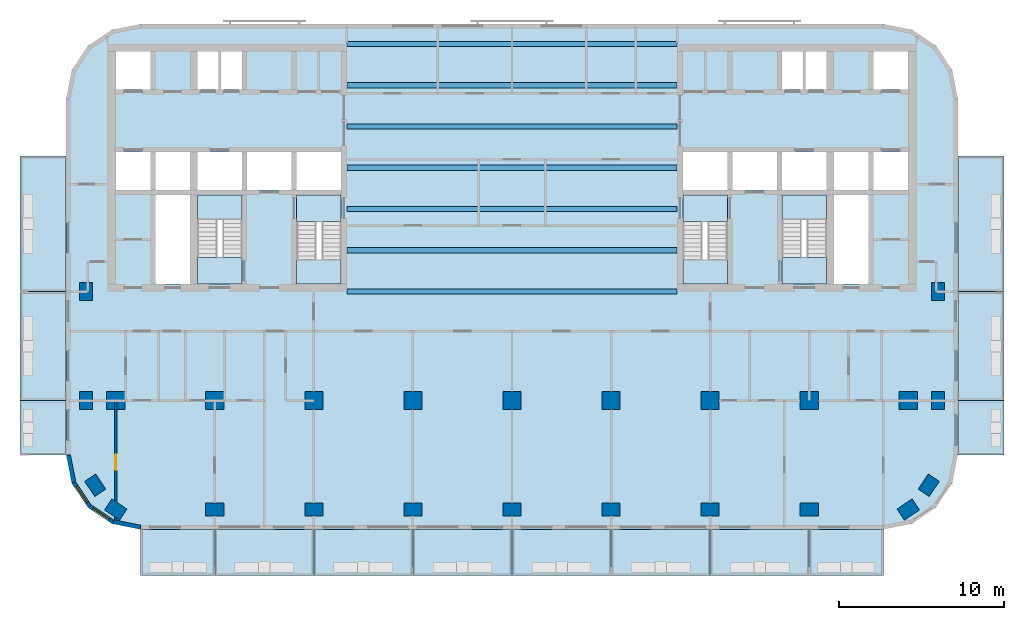
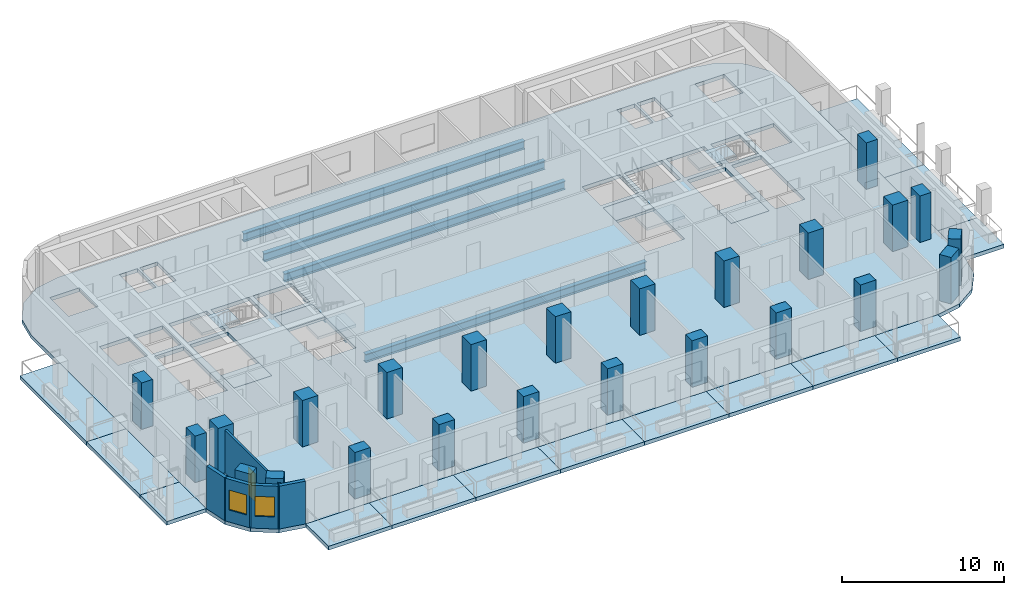
# One storey, part 1 of 11: 24 columns, 23 slabs, 7 beams, 5 walls, 2 windows, 1 door, 3 openings, 4 elements without a shape of their own.
"""IFC4 building model written with IfcOpenShell, lengths in metres."""

from ifc_helpers import new_model, si_unit, direction, frame, frame_2d, origin, origin_2d, place, context, subcontext, project, spatial, polyline, rectangle, i_section, outline, extrude, material, layer, layer_set, material_profile, profile_set, type_object, element, fill, aggregate, save


model = new_model("IFC4")

# Units and contexts
model_context = context("Model", 3, precision=1e-05, world=origin(), true_north=direction((0.0, 1.0)))
body_context = subcontext(model_context, "Body", "Model", "MODEL_VIEW")
ifc_project = project(units=[si_unit("LENGTHUNIT", "METRE"), si_unit("AREAUNIT", "SQUARE_METRE"), si_unit("VOLUMEUNIT", "CUBIC_METRE"), si_unit("PLANEANGLEUNIT", "RADIAN"), si_unit("MASSUNIT", "GRAM", prefix="KILO")], contexts=[model_context])

# Site, building, storey
site_placement = place(None, origin())
site = spatial("IfcSite", under=ifc_project, at=site_placement, CompositionType="ELEMENT")
building_placement = place(site_placement, origin())
building = spatial("IfcBuilding", under=site, at=building_placement, Name="Torana Hotel and Residences", CompositionType="ELEMENT")
storey_placement = place(building_placement, frame((0.0, 0.0, 239.60009765625)))
storey = spatial("IfcBuildingStorey", under=building, at=storey_placement, Name="L63", CompositionType="ELEMENT", Elevation=239.60009765625)

# Columns
ifc_material_1 = material(Name="Concrete C60/75", Category="concrete")
ifc_material_profile_1 = material_profile(ifc_material_1, rectangle(XDim=1.10009765625, YDim=1.10009765625, at=origin_2d()), Name="RC 1100x1100")
ifc_profile_set_1 = profile_set([ifc_material_profile_1], Name="Concrete C60/75")
column_type_1 = type_object("IfcColumnType", Name="COLUMN RC 1100x1100 C60/75", PredefinedType="COLUMN", material=ifc_profile_set_1)
for number, where, z_axis, x_axis, name in (
    (1, (-24.0, -21.60009765625, 0.0), (0.0, 0.0, 1.0), (1.0, 0.0, 0.0), "Column L63"),
    (2, (-18.0, -21.60009765625, 0.0), (0.0, 0.0, 1.0), (1.0, 0.0, 0.0), "Column L63"),
    (3, (-12.0, -21.60009765625, 0.0), (0.0, 0.0, 1.0), (1.0, 0.0, 0.0), "Column L63"),
    (4, (-6.0, -21.60009765625, 0.0), (0.0, 0.0, 1.0), (1.0, 0.0, 0.0), "Column L63"),
    (5, (0.0, -21.60009765625, 0.0), (0.0, 0.0, 1.0), (1.0, 0.0, 0.0), "Column L63"),
    (6, (6.0, -21.60009765625, 0.0), (0.0, 0.0, 1.0), (1.0, 0.0, 0.0), "Column L63"),
    (7, (12.0, -21.60009765625, 0.0), (0.0, 0.0, 1.0), (1.0, 0.0, 0.0), "Column L63"),
    (8, (18.0, -21.60009765625, 0.0), (0.0, 0.0, 1.0), (1.0, 0.0, 0.0), "Column L63"),
    (9, (24.0, -21.60009765625, 0.0), (0.0, 0.0, 1.0), (1.0, 0.0, 0.0), "Column L63"),
):
    element("IfcColumn", number, at=place(storey_placement, frame(where, z_axis=z_axis, x_axis=x_axis)), inside=storey, type_object=column_type_1, Name=name, PredefinedType="COLUMN", context=body_context, shape_type="SweptSolid", body=[
        extrude(rectangle(XDim=1.10009765625, YDim=1.10009765625, at=origin_2d()), origin(), (0.0, 0.0, 1.0), 3.5),
    ])
ifc_material_2 = material(Name="Concrete C60/75", Category="concrete")
ifc_material_profile_2 = material_profile(ifc_material_2, rectangle(XDim=1.10009765625, YDim=0.800048828125, at=origin_2d()), Name="RC 1100x800")
ifc_profile_set_2 = profile_set([ifc_material_profile_2], Name="Concrete C60/75")
column_type_2 = type_object("IfcColumnType", Name="COLUMN RC 1100x800 C60/75", PredefinedType="COLUMN", material=ifc_profile_set_2)
for number, where, z_axis, x_axis, name in (
    (10, (-25.800048828125, -21.60009765625, 0.0), (0.0, 0.0, 1.0), (0.0, 1.0, 0.0), "Column L63"),
    (11, (-25.800048828125, -15.0, 0.0), (0.0, 0.0, 1.0), (0.0, 1.0, 0.0), "Column L63"),
    (12, (-25.243896484375, -26.73291015625, 0.0), (0.0, 0.0, 1.0), (-0.555584744817, 0.831459915646, 0.0), "Column L63"),
    (13, (-24.0, -28.199951171875, 0.0), (0.0, 0.0, 1.0), (-0.831459915646, 0.555584744817, 0.0), "Column L63"),
    (14, (-18.0, -28.199951171875, 0.0), (0.0, 0.0, 1.0), (1.0, 0.0, 0.0), "Column L63"),
    (15, (-12.0, -28.199951171875, 0.0), (0.0, 0.0, 1.0), (1.0, 0.0, 0.0), "Column L63"),
    (16, (-6.0, -28.199951171875, 0.0), (0.0, 0.0, 1.0), (1.0, 0.0, 0.0), "Column L63"),
    (17, (0.0, -28.199951171875, 0.0), (0.0, 0.0, 1.0), (1.0, 0.0, 0.0), "Column L63"),
    (18, (6.0, -28.199951171875, 0.0), (0.0, 0.0, 1.0), (1.0, 0.0, 0.0), "Column L63"),
    (19, (12.0, -28.199951171875, 0.0), (0.0, 0.0, 1.0), (1.0, 0.0, 0.0), "Column L63"),
    (20, (18.0, -28.199951171875, 0.0), (0.0, 0.0, 1.0), (1.0, 0.0, 0.0), "Column L63"),
    (21, (24.0, -28.199951171875, 0.0), (0.0, 0.0, 1.0), (0.831459915646, 0.555584744817, 0.0), "Column L63"),
    (22, (25.243896484375, -26.73291015625, 0.0), (0.0, 0.0, 1.0), (0.555584744817, 0.831459915646, 0.0), "Column L63"),
    (23, (25.800048828125, -21.60009765625, 0.0), (0.0, 0.0, 1.0), (0.0, 1.0, 0.0), "Column L63"),
    (24, (25.800048828125, -15.0, 0.0), (0.0, 0.0, 1.0), (0.0, 1.0, 0.0), "Column L63"),
):
    element("IfcColumn", number, at=place(storey_placement, frame(where, z_axis=z_axis, x_axis=x_axis)), inside=storey, type_object=column_type_2, Name=name, PredefinedType="COLUMN", context=body_context, shape_type="SweptSolid", body=[
        extrude(rectangle(XDim=1.10009765625, YDim=0.800048828125, at=origin_2d()), origin(), (0.0, 0.0, 1.0), 3.5),
    ])

# Beams
ifc_material_3 = material(Name="Steel S355", Category="steel")
ifc_material_profile_3 = material_profile(ifc_material_3, i_section(OverallWidth=0.311279296875, OverallDepth=0.6357421875, WebThickness=0.018310546875, FlangeThickness=0.031494140625, FilletRadius=0.0166015625, at=origin_2d()), Name="610x305x238 UB")
ifc_profile_set_3 = profile_set([ifc_material_profile_3], Name="Steel S355")
beam_type = type_object("IfcBeamType", Name="STEEL GIRDER 610x305x238 UB", PredefinedType="BEAM", material=ifc_profile_set_3)
for number, where, z_axis, x_axis, name in (
    (25, (-10.0, -15.0, -0.597900390625), (1.0, 0.0, 0.0), (0.0, 1.0, 0.0), "Floor girder"),
    (26, (-10.0, -12.5, -0.597900390625), (1.0, 0.0, 0.0), (0.0, 1.0, 0.0), "Floor girder"),
    (27, (-10.0, -10.0, -0.597900390625), (1.0, 0.0, 0.0), (0.0, 1.0, 0.0), "Floor girder"),
    (28, (-10.0, -7.5, -0.597900390625), (1.0, 0.0, 0.0), (0.0, 1.0, 0.0), "Floor girder"),
    (29, (-10.0, -5.0, -0.597900390625), (1.0, 0.0, 0.0), (0.0, 1.0, 0.0), "Floor girder"),
    (30, (-10.0, -2.5, -0.597900390625), (1.0, 0.0, 0.0), (0.0, 1.0, 0.0), "Floor girder"),
    (31, (-10.0, 0.0, -0.597900390625), (1.0, 0.0, 0.0), (0.0, 1.0, 0.0), "Floor girder"),
):
    element("IfcBeam", number, at=place(storey_placement, frame(where, z_axis=z_axis, x_axis=x_axis)), inside=storey, type_object=beam_type, Name=name, PredefinedType="BEAM", context=body_context, shape_type="SweptSolid", body=[
        extrude(i_section(OverallWidth=0.311279296875, OverallDepth=0.6357421875, WebThickness=0.018310546875, FlangeThickness=0.031494140625, FilletRadius=0.0166015625, at=origin_2d()), origin(), (0.0, 0.0, 1.0), 20.0),
    ])

# Slabs
ifc_material_4 = material(Name="Concrete C40/50", Category="concrete")
ifc_layer_1 = layer(ifc_material_4, 0.280029296875)
ifc_layer_set_1 = layer_set([ifc_layer_1], Name="BAL1 BALCONY SLAB 280")
slab_type_1 = type_object("IfcSlabType", Name="BAL1 BALCONY SLAB 280", PredefinedType="USERDEFINED", material=ifc_layer_set_1)
slab_1_placement = place(storey_placement, frame((0.0, 0.0, -0.280029296875)))
element("IfcSlab", 32, at=slab_1_placement, inside=storey, type_object=slab_type_1, Name="Balcony 01", ObjectType="BALCONY", PredefinedType="USERDEFINED", context=body_context, shape_type="SweptSolid", body=[
    extrude(outline(polyline([(-22.5, -32.199951171875), (-18.0, -32.199951171875), (-18.0, -29.39990234375), (-22.5, -29.39990234375), (-22.5, -32.199951171875)])), origin(), (0.0, 0.0, 1.0), 0.280029296875),
])
slab_2_placement = place(storey_placement, frame((0.0, 0.0, -0.280029296875)))
element("IfcSlab", 33, at=slab_2_placement, inside=storey, type_object=slab_type_1, Name="Balcony 02", ObjectType="BALCONY", PredefinedType="USERDEFINED", context=body_context, shape_type="SweptSolid", body=[
    extrude(outline(polyline([(-18.0, -32.199951171875), (-12.0, -32.199951171875), (-12.0, -29.39990234375), (-18.0, -29.39990234375), (-18.0, -32.199951171875)])), origin(), (0.0, 0.0, 1.0), 0.280029296875),
])
slab_3_placement = place(storey_placement, frame((0.0, 0.0, -0.280029296875)))
element("IfcSlab", 34, at=slab_3_placement, inside=storey, type_object=slab_type_1, Name="Balcony 03", ObjectType="BALCONY", PredefinedType="USERDEFINED", context=body_context, shape_type="SweptSolid", body=[
    extrude(outline(polyline([(-12.0, -32.199951171875), (-6.0, -32.199951171875), (-6.0, -29.39990234375), (-12.0, -29.39990234375), (-12.0, -32.199951171875)])), origin(), (0.0, 0.0, 1.0), 0.280029296875),
])
slab_4_placement = place(storey_placement, frame((0.0, 0.0, -0.280029296875)))
element("IfcSlab", 35, at=slab_4_placement, inside=storey, type_object=slab_type_1, Name="Balcony 04", ObjectType="BALCONY", PredefinedType="USERDEFINED", context=body_context, shape_type="SweptSolid", body=[
    extrude(outline(polyline([(-6.0, -32.199951171875), (0.0, -32.199951171875), (0.0, -29.39990234375), (-6.0, -29.39990234375), (-6.0, -32.199951171875)])), origin(), (0.0, 0.0, 1.0), 0.280029296875),
])
slab_5_placement = place(storey_placement, frame((0.0, 0.0, -0.280029296875)))
element("IfcSlab", 36, at=slab_5_placement, inside=storey, type_object=slab_type_1, Name="Balcony 05", ObjectType="BALCONY", PredefinedType="USERDEFINED", context=body_context, shape_type="SweptSolid", body=[
    extrude(outline(polyline([(0.0, -32.199951171875), (6.0, -32.199951171875), (6.0, -29.39990234375), (0.0, -29.39990234375), (0.0, -32.199951171875)])), origin(), (0.0, 0.0, 1.0), 0.280029296875),
])
slab_6_placement = place(storey_placement, frame((0.0, 0.0, -0.280029296875)))
element("IfcSlab", 37, at=slab_6_placement, inside=storey, type_object=slab_type_1, Name="Balcony 06", ObjectType="BALCONY", PredefinedType="USERDEFINED", context=body_context, shape_type="SweptSolid", body=[
    extrude(outline(polyline([(6.0, -32.199951171875), (12.0, -32.199951171875), (12.0, -29.39990234375), (6.0, -29.39990234375), (6.0, -32.199951171875)])), origin(), (0.0, 0.0, 1.0), 0.280029296875),
])
slab_7_placement = place(storey_placement, frame((0.0, 0.0, -0.280029296875)))
element("IfcSlab", 38, at=slab_7_placement, inside=storey, type_object=slab_type_1, Name="Balcony 07", ObjectType="BALCONY", PredefinedType="USERDEFINED", context=body_context, shape_type="SweptSolid", body=[
    extrude(outline(polyline([(12.0, -32.199951171875), (18.0, -32.199951171875), (18.0, -29.39990234375), (12.0, -29.39990234375), (12.0, -32.199951171875)])), origin(), (0.0, 0.0, 1.0), 0.280029296875),
])
slab_8_placement = place(storey_placement, frame((0.0, 0.0, -0.280029296875)))
element("IfcSlab", 39, at=slab_8_placement, inside=storey, type_object=slab_type_1, Name="Balcony 08", ObjectType="BALCONY", PredefinedType="USERDEFINED", context=body_context, shape_type="SweptSolid", body=[
    extrude(outline(polyline([(18.0, -32.199951171875), (22.5, -32.199951171875), (22.5, -29.39990234375), (18.0, -29.39990234375), (18.0, -32.199951171875)])), origin(), (0.0, 0.0, 1.0), 0.280029296875),
])
slab_9_placement = place(storey_placement, frame((0.0, 0.0, -0.280029296875)))
element("IfcSlab", 40, at=slab_9_placement, inside=storey, type_object=slab_type_1, Name="Balcony 09", ObjectType="BALCONY", PredefinedType="USERDEFINED", context=body_context, shape_type="SweptSolid", body=[
    extrude(outline(polyline([(-29.800048828125, -24.89990234375), (-27.0, -24.89990234375), (-27.0, -21.60009765625), (-29.800048828125, -21.60009765625), (-29.800048828125, -24.89990234375)])), origin(), (0.0, 0.0, 1.0), 0.280029296875),
])
slab_10_placement = place(storey_placement, frame((0.0, 0.0, -0.280029296875)))
element("IfcSlab", 41, at=slab_10_placement, inside=storey, type_object=slab_type_1, Name="Balcony 10", ObjectType="BALCONY", PredefinedType="USERDEFINED", context=body_context, shape_type="SweptSolid", body=[
    extrude(outline(polyline([(-29.800048828125, -21.60009765625), (-27.0, -21.60009765625), (-27.0, -15.0), (-29.800048828125, -15.0), (-29.800048828125, -21.60009765625)])), origin(), (0.0, 0.0, 1.0), 0.280029296875),
])
slab_11_placement = place(storey_placement, frame((0.0, 0.0, -0.280029296875)))
element("IfcSlab", 42, at=slab_11_placement, inside=storey, type_object=slab_type_1, Name="Balcony 11", ObjectType="BALCONY", PredefinedType="USERDEFINED", context=body_context, shape_type="SweptSolid", body=[
    extrude(outline(polyline([(-29.800048828125, -15.0), (-27.0, -15.0), (-27.0, -6.800048828125), (-29.800048828125, -6.800048828125), (-29.800048828125, -15.0)])), origin(), (0.0, 0.0, 1.0), 0.280029296875),
])
slab_12_placement = place(storey_placement, frame((0.0, 0.0, -0.280029296875)))
element("IfcSlab", 43, at=slab_12_placement, inside=storey, type_object=slab_type_1, Name="Balcony 12", ObjectType="BALCONY", PredefinedType="USERDEFINED", context=body_context, shape_type="SweptSolid", body=[
    extrude(outline(polyline([(27.0, -24.89990234375), (29.800048828125, -24.89990234375), (29.800048828125, -21.60009765625), (27.0, -21.60009765625), (27.0, -24.89990234375)])), origin(), (0.0, 0.0, 1.0), 0.280029296875),
])
slab_13_placement = place(storey_placement, frame((0.0, 0.0, -0.280029296875)))
element("IfcSlab", 44, at=slab_13_placement, inside=storey, type_object=slab_type_1, Name="Balcony 13", ObjectType="BALCONY", PredefinedType="USERDEFINED", context=body_context, shape_type="SweptSolid", body=[
    extrude(outline(polyline([(27.0, -21.60009765625), (29.800048828125, -21.60009765625), (29.800048828125, -15.0), (27.0, -15.0), (27.0, -21.60009765625)])), origin(), (0.0, 0.0, 1.0), 0.280029296875),
])
slab_14_placement = place(storey_placement, frame((0.0, 0.0, -0.280029296875)))
element("IfcSlab", 45, at=slab_14_placement, inside=storey, type_object=slab_type_1, Name="Balcony 14", ObjectType="BALCONY", PredefinedType="USERDEFINED", context=body_context, shape_type="SweptSolid", body=[
    extrude(outline(polyline([(27.0, -15.0), (29.800048828125, -15.0), (29.800048828125, -6.800048828125), (27.0, -6.800048828125), (27.0, -15.0)])), origin(), (0.0, 0.0, 1.0), 0.280029296875),
])
ifc_material_5 = material(Name="Concrete C40/50", Category="concrete")
ifc_layer_2 = layer(ifc_material_5, 0.280029296875)
ifc_layer_set_2 = layer_set([ifc_layer_2], Name="FLOOR SLAB PT 280")
slab_type_2 = type_object("IfcSlabType", Name="FLOOR SLAB PT 280", PredefinedType="FLOOR", material=ifc_layer_set_2)
slab_15_placement = place(storey_placement, frame((0.0, 0.0, -0.280029296875)))
element("IfcSlab", 46, at=slab_15_placement, inside=storey, type_object=slab_type_2, Name="Floor slab", PredefinedType="FLOOR", context=body_context, shape_type="SweptSolid", body=[
    extrude(outline(polyline([(27.0, -3.300048828125), (26.657470703125, -1.577880859375), (25.681884765625, -0.117919921875), (24.22216796875, 0.857421875), (22.5, 1.199951171875), (-22.5, 1.199951171875), (-24.22216796875, 0.857421875), (-25.681884765625, -0.117919921875), (-26.657470703125, -1.577880859375), (-27.0, -3.300048828125), (-27.0, -24.89990234375), (-26.657470703125, -26.6220703125), (-25.681884765625, -28.08203125), (-24.22216796875, -29.0576171875), (-22.5, -29.39990234375), (22.5, -29.39990234375), (24.22216796875, -29.0576171875), (25.681884765625, -28.08203125), (26.657470703125, -26.6220703125), (27.0, -24.89990234375), (27.0, -3.300048828125)]), holes=[polyline([(-13.050048828125, -14.550048828125), (-10.35009765625, -14.550048828125), (-10.35009765625, -9.14990234375), (-13.050048828125, -9.14990234375), (-13.050048828125, -14.550048828125)]), polyline([(-19.050048828125, -14.550048828125), (-16.35009765625, -14.550048828125), (-16.35009765625, -9.14990234375), (-19.050048828125, -9.14990234375), (-19.050048828125, -14.550048828125)]), polyline([(-17.625, -2.75), (-16.35009765625, -2.75), (-16.35009765625, -0.449951171875), (-17.625, -0.449951171875), (-17.625, -2.75)]), polyline([(-19.050048828125, -2.75), (-17.77490234375, -2.75), (-17.77490234375, -0.449951171875), (-19.050048828125, -0.449951171875), (-19.050048828125, -2.75)]), polyline([(-21.60009765625, -8.85009765625), (-19.5, -8.85009765625), (-19.5, -6.550048828125), (-21.60009765625, -6.550048828125), (-21.60009765625, -8.85009765625)]), polyline([(-24.0, -2.75), (-21.89990234375, -2.75), (-21.89990234375, -0.449951171875), (-24.0, -0.449951171875), (-24.0, -2.75)]), polyline([(-24.0, -8.85009765625), (-21.89990234375, -8.85009765625), (-21.89990234375, -6.550048828125), (-24.0, -6.550048828125), (-24.0, -8.85009765625)]), polyline([(-13.050048828125, -8.85009765625), (-10.35009765625, -8.85009765625), (-10.35009765625, -6.550048828125), (-13.050048828125, -6.550048828125), (-13.050048828125, -8.85009765625)]), polyline([(-16.050048828125, -8.85009765625), (-13.35009765625, -8.85009765625), (-13.35009765625, -6.550048828125), (-16.050048828125, -6.550048828125), (-16.050048828125, -8.85009765625)]), polyline([(-19.050048828125, -8.85009765625), (-16.35009765625, -8.85009765625), (-16.35009765625, -6.550048828125), (-19.050048828125, -6.550048828125), (-19.050048828125, -8.85009765625)]), polyline([(-21.60009765625, -14.550048828125), (-19.5, -14.550048828125), (-19.5, -9.14990234375), (-21.60009765625, -9.14990234375), (-21.60009765625, -14.550048828125)]), polyline([(10.35009765625, -14.550048828125), (13.050048828125, -14.550048828125), (13.050048828125, -9.14990234375), (10.35009765625, -9.14990234375), (10.35009765625, -14.550048828125)]), polyline([(16.35009765625, -14.550048828125), (19.050048828125, -14.550048828125), (19.050048828125, -9.14990234375), (16.35009765625, -9.14990234375), (16.35009765625, -14.550048828125)]), polyline([(16.35009765625, -2.75), (17.625, -2.75), (17.625, -0.449951171875), (16.35009765625, -0.449951171875), (16.35009765625, -2.75)]), polyline([(17.77490234375, -2.75), (19.050048828125, -2.75), (19.050048828125, -0.449951171875), (17.77490234375, -0.449951171875), (17.77490234375, -2.75)]), polyline([(19.5, -8.85009765625), (21.60009765625, -8.85009765625), (21.60009765625, -6.550048828125), (19.5, -6.550048828125), (19.5, -8.85009765625)]), polyline([(21.89990234375, -2.75), (24.0, -2.75), (24.0, -0.449951171875), (21.89990234375, -0.449951171875), (21.89990234375, -2.75)]), polyline([(21.89990234375, -8.85009765625), (24.0, -8.85009765625), (24.0, -6.550048828125), (21.89990234375, -6.550048828125), (21.89990234375, -8.85009765625)]), polyline([(10.35009765625, -8.85009765625), (13.050048828125, -8.85009765625), (13.050048828125, -6.550048828125), (10.35009765625, -6.550048828125), (10.35009765625, -8.85009765625)]), polyline([(13.35009765625, -8.85009765625), (16.050048828125, -8.85009765625), (16.050048828125, -6.550048828125), (13.35009765625, -6.550048828125), (13.35009765625, -8.85009765625)]), polyline([(16.35009765625, -8.85009765625), (19.050048828125, -8.85009765625), (19.050048828125, -6.550048828125), (16.35009765625, -6.550048828125), (16.35009765625, -8.85009765625)]), polyline([(19.5, -14.550048828125), (21.60009765625, -14.550048828125), (21.60009765625, -9.14990234375), (19.5, -9.14990234375), (19.5, -14.550048828125)])]), origin(), (0.0, 0.0, 1.0), 0.280029296875),
])

# Stair, slabs
ifc_material_6 = material(Name="Concrete C40/50 precast", Category="concrete")
stair_type_1 = type_object("IfcStairType", Name="STAIR ST1 HALF TURN 1200", PredefinedType="HALF_TURN_STAIR", material=ifc_material_6)
stair_1_placement = place(storey_placement, origin())
stair_1 = element("IfcStair", 47, at=stair_1_placement, inside=storey, type_object=stair_type_1, Name="Stair ST1 L63", PredefinedType="HALF_TURN_STAIR")
ifc_material_7 = material(Name="Concrete C40/50 precast", Category="concrete")
ifc_layer_3 = layer(ifc_material_7, 0.199951171875)
ifc_layer_set_3 = layer_set([ifc_layer_3], Name="STAIR LANDING 200")
slab_type_3 = type_object("IfcSlabType", Name="STAIR LANDING 200", PredefinedType="LANDING", material=ifc_layer_set_3)
slab_16_placement = place(storey_placement, frame((0.0, 0.0, 1.5498046875)))
slab_16 = element("IfcSlab", 48, at=slab_16_placement, type_object=slab_type_3, Name="ST1 landing 1", PredefinedType="LANDING", context=body_context, shape_type="SweptSolid", body=[
    extrude(outline(polyline([(-13.050048828125, -14.550048828125), (-10.35009765625, -14.550048828125), (-10.35009765625, -13.090087890625), (-13.050048828125, -13.090087890625), (-13.050048828125, -14.550048828125)])), origin(), (0.0, 0.0, 1.0), 0.2001953125),
])
slab_17_placement = place(storey_placement, frame((0.0, 0.0, -0.2001953125)))
slab_17 = element("IfcSlab", 49, at=slab_17_placement, type_object=slab_type_3, Name="ST1 landing 2", PredefinedType="LANDING", context=body_context, shape_type="SweptSolid", body=[
    extrude(outline(polyline([(-13.050048828125, -10.75), (-10.35009765625, -10.75), (-10.35009765625, -9.14990234375), (-13.050048828125, -9.14990234375), (-13.050048828125, -10.75)])), origin(), (0.0, 0.0, 1.0), 0.2001953125),
])
aggregate(stair_1, [slab_16, slab_17])

ifc_material_8 = material(Name="Concrete C40/50 precast", Category="concrete")
stair_type_2 = type_object("IfcStairType", Name="STAIR ST2 HALF TURN 1200", PredefinedType="HALF_TURN_STAIR", material=ifc_material_8)
stair_2_placement = place(storey_placement, origin())
stair_2 = element("IfcStair", 50, at=stair_2_placement, inside=storey, type_object=stair_type_2, Name="Stair ST2 L63", PredefinedType="HALF_TURN_STAIR")
slab_18_placement = place(storey_placement, frame((0.0, 0.0, 1.5498046875)))
slab_18 = element("IfcSlab", 51, at=slab_18_placement, type_object=slab_type_3, Name="ST2 landing 1", PredefinedType="LANDING", context=body_context, shape_type="SweptSolid", body=[
    extrude(outline(polyline([(-19.050048828125, -10.610107421875), (-16.35009765625, -10.610107421875), (-16.35009765625, -9.14990234375), (-19.050048828125, -9.14990234375), (-19.050048828125, -10.610107421875)])), origin(), (0.0, 0.0, 1.0), 0.2001953125),
])
slab_19_placement = place(storey_placement, frame((0.0, 0.0, -0.2001953125)))
slab_19 = element("IfcSlab", 52, at=slab_19_placement, type_object=slab_type_3, Name="ST2 landing 2", PredefinedType="LANDING", context=body_context, shape_type="SweptSolid", body=[
    extrude(outline(polyline([(-19.050048828125, -14.550048828125), (-16.35009765625, -14.550048828125), (-16.35009765625, -12.949951171875), (-19.050048828125, -12.949951171875), (-19.050048828125, -14.550048828125)])), origin(), (0.0, 0.0, 1.0), 0.2001953125),
])
aggregate(stair_2, [slab_18, slab_19])

ifc_material_9 = material(Name="Concrete C40/50 precast", Category="concrete")
stair_type_3 = type_object("IfcStairType", Name="STAIR ST3 HALF TURN 1200", PredefinedType="HALF_TURN_STAIR", material=ifc_material_9)
stair_3_placement = place(storey_placement, origin())
stair_3 = element("IfcStair", 53, at=stair_3_placement, inside=storey, type_object=stair_type_3, Name="Stair ST3 L63", PredefinedType="HALF_TURN_STAIR")
slab_20_placement = place(storey_placement, frame((0.0, 0.0, 1.5498046875)))
slab_20 = element("IfcSlab", 54, at=slab_20_placement, type_object=slab_type_3, Name="ST3 landing 1", PredefinedType="LANDING", context=body_context, shape_type="SweptSolid", body=[
    extrude(outline(polyline([(10.35009765625, -14.550048828125), (13.050048828125, -14.550048828125), (13.050048828125, -13.090087890625), (10.35009765625, -13.090087890625), (10.35009765625, -14.550048828125)])), origin(), (0.0, 0.0, 1.0), 0.2001953125),
])
slab_21_placement = place(storey_placement, frame((0.0, 0.0, -0.2001953125)))
slab_21 = element("IfcSlab", 55, at=slab_21_placement, type_object=slab_type_3, Name="ST3 landing 2", PredefinedType="LANDING", context=body_context, shape_type="SweptSolid", body=[
    extrude(outline(polyline([(10.35009765625, -10.75), (13.050048828125, -10.75), (13.050048828125, -9.14990234375), (10.35009765625, -9.14990234375), (10.35009765625, -10.75)])), origin(), (0.0, 0.0, 1.0), 0.2001953125),
])
aggregate(stair_3, [slab_20, slab_21])

ifc_material_10 = material(Name="Concrete C40/50 precast", Category="concrete")
stair_type_4 = type_object("IfcStairType", Name="STAIR ST4 HALF TURN 1200", PredefinedType="HALF_TURN_STAIR", material=ifc_material_10)
stair_4_placement = place(storey_placement, origin())
stair_4 = element("IfcStair", 56, at=stair_4_placement, inside=storey, type_object=stair_type_4, Name="Stair ST4 L63", PredefinedType="HALF_TURN_STAIR")
slab_22_placement = place(storey_placement, frame((0.0, 0.0, 1.5498046875)))
slab_22 = element("IfcSlab", 57, at=slab_22_placement, type_object=slab_type_3, Name="ST4 landing 1", PredefinedType="LANDING", context=body_context, shape_type="SweptSolid", body=[
    extrude(outline(polyline([(16.35009765625, -10.610107421875), (19.050048828125, -10.610107421875), (19.050048828125, -9.14990234375), (16.35009765625, -9.14990234375), (16.35009765625, -10.610107421875)])), origin(), (0.0, 0.0, 1.0), 0.2001953125),
])
slab_23_placement = place(storey_placement, frame((0.0, 0.0, -0.2001953125)))
slab_23 = element("IfcSlab", 58, at=slab_23_placement, type_object=slab_type_3, Name="ST4 landing 2", PredefinedType="LANDING", context=body_context, shape_type="SweptSolid", body=[
    extrude(outline(polyline([(16.35009765625, -14.550048828125), (19.050048828125, -14.550048828125), (19.050048828125, -12.949951171875), (16.35009765625, -12.949951171875), (16.35009765625, -14.550048828125)])), origin(), (0.0, 0.0, 1.0), 0.2001953125),
])
aggregate(stair_4, [slab_22, slab_23])

# Wall
ifc_material_11 = material(Name="Black aluminium composite panel", Category="aluminium")
ifc_layer_4 = layer(ifc_material_11, 0.00390625, Name="Cladding", Category="cladding")
ifc_material_12 = material(Name="Ventilated air cavity")
ifc_layer_5 = layer(ifc_material_12, 0.0400390625, Name="Ventilated cavity", Category="cavity")
ifc_material_13 = material(Name="Mineral wool insulation")
ifc_layer_6 = layer(ifc_material_13, 0.090087890625, Name="Insulation", Category="insulation")
ifc_material_14 = material(Name="Steel S280GD", Category="steel")
ifc_layer_7 = layer(ifc_material_14, 0.092041015625, Name="Steel stud frame", Category="structure")
ifc_material_15 = material(Name="Fire rated plasterboard")
ifc_layer_8 = layer(ifc_material_15, 0.011962890625, Name="Inner board", Category="finish")
ifc_layer_9 = layer(ifc_material_15, 0.011962890625, Name="Second board", Category="finish")
ifc_layer_set_4 = layer_set([ifc_layer_4, ifc_layer_5, ifc_layer_6, ifc_layer_7, ifc_layer_8, ifc_layer_9], Name="EW1 EXTERNAL WALL BLACK METAL CLAD 250")
wall_type_1 = type_object("IfcWallType", Name="EW1 EXTERNAL WALL BLACK METAL CLAD 250", PredefinedType="SOLIDWALL", material=ifc_layer_set_4)
wall_1_placement = place(storey_placement, frame((-26.87255859375, -24.89990234375, 0.0), z_axis=(0.0, 0.0, 1.0), x_axis=(0.195026884138, -0.980797896849, 0.0)))
element("IfcWall", 59, at=wall_1_placement, inside=storey, type_object=wall_type_1, Name="External wall L63 e0.10", PredefinedType="SOLIDWALL", context=body_context, shape_type="SweptSolid", body=[
    extrude(rectangle(XDim=1.68115234375, YDim=0.25, at=frame_2d((0.840576171875, 0.0))), origin(), (0.0, 0.0, 1.0), 3.219970703125),
])

# Wall, opening, window
wall_2_placement = place(storey_placement, frame((-26.52587890625, -26.593994140625, 0.0), z_axis=(0.0, 0.0, 1.0), x_axis=(0.55555029066, -0.831482937015, 0.0)))
wall_2 = element("IfcWall", 60, at=wall_2_placement, inside=storey, type_object=wall_type_1, Name="External wall L63 e0.11", PredefinedType="SOLIDWALL", context=body_context, shape_type="SweptSolid", body=[
    extrude(rectangle(XDim=1.65625, YDim=0.25, at=frame_2d((0.828125, 0.0))), origin(), (0.0, 0.0, 1.0), 3.219970703125),
])
opening_1_placement = place(wall_2_placement, frame((0.228271484375, 0.0, 0.89990234375)))
opening_1 = element("IfcOpeningElement", 61, at=opening_1_placement, cuts=wall_2, Name="Opening W5", PredefinedType="OPENING", context=body_context, shape_type="SweptSolid", body=[
    extrude(rectangle(XDim=1.199951171875, YDim=1.5, at=frame_2d((0.60009765625, 0.75))), frame((0.0, 0.135009765625, 0.0), z_axis=(0.0, -1.0, 0.0), x_axis=(1.0, 0.0, 0.0)), (0.0, 0.0, 1.0), 0.27001953125),
])
ifc_material_16 = material(Name="Dark glass in black aluminium frame", Category="aluminium")
window_type = type_object("IfcWindowType", Name="W5 CORNER FACET WINDOW 1200x1500", PartitioningType="SINGLE_PANEL", PredefinedType="WINDOW", material=ifc_material_16)
window_1_placement = place(opening_1_placement, origin())
window_1 = element("IfcWindow", 62, at=window_1_placement, inside=storey, type_object=window_type, Name="Window L63 e0.11", OverallHeight=1.5, OverallWidth=1.199951171875, PartitioningType="SINGLE_PANEL", PredefinedType="WINDOW", context=body_context, shape_type="SweptSolid", body=[
    extrude(rectangle(XDim=1.199951171875, YDim=1.5, at=frame_2d((0.60009765625, 0.75))), frame((0.0, 0.030029296875, 0.0), z_axis=(0.0, -1.0, 0.0), x_axis=(1.0, 0.0, 0.0)), (0.0, 0.0, 1.0), 0.06005859375),
])
fill(opening_1, window_1)

wall_3_placement = place(storey_placement, frame((-25.5712890625, -28.005615234375, 0.0), z_axis=(0.0, 0.0, 1.0), x_axis=(0.831482937015, -0.55555029066, 0.0)))
wall_3 = element("IfcWall", 63, at=wall_3_placement, inside=storey, type_object=wall_type_1, Name="External wall L63 e0.12", PredefinedType="SOLIDWALL", context=body_context, shape_type="SweptSolid", body=[
    extrude(rectangle(XDim=1.65625, YDim=0.25, at=frame_2d((0.828125, 0.0))), origin(), (0.0, 0.0, 1.0), 3.219970703125),
])
opening_2_placement = place(wall_3_placement, frame((0.228271484375, 0.0, 0.89990234375)))
opening_2 = element("IfcOpeningElement", 64, at=opening_2_placement, cuts=wall_3, Name="Opening W5", PredefinedType="OPENING", context=body_context, shape_type="SweptSolid", body=[
    extrude(rectangle(XDim=1.199951171875, YDim=1.5, at=frame_2d((0.60009765625, 0.75))), frame((0.0, 0.135009765625, 0.0), z_axis=(0.0, -1.0, 0.0), x_axis=(1.0, 0.0, 0.0)), (0.0, 0.0, 1.0), 0.27001953125),
])
window_2_placement = place(opening_2_placement, origin())
window_2 = element("IfcWindow", 65, at=window_2_placement, inside=storey, type_object=window_type, Name="Window L63 e0.12", OverallHeight=1.5, OverallWidth=1.199951171875, PartitioningType="SINGLE_PANEL", PredefinedType="WINDOW", context=body_context, shape_type="SweptSolid", body=[
    extrude(rectangle(XDim=1.199951171875, YDim=1.5, at=frame_2d((0.60009765625, 0.75))), frame((0.0, 0.030029296875, 0.0), z_axis=(0.0, -1.0, 0.0), x_axis=(1.0, 0.0, 0.0)), (0.0, 0.0, 1.0), 0.06005859375),
])
fill(opening_2, window_2)

# Wall
wall_4_placement = place(storey_placement, frame((-24.14892578125, -28.944580078125, 0.0), z_axis=(0.0, 0.0, 1.0), x_axis=(0.980775640221, -0.19513878023, 0.0)))
element("IfcWall", 66, at=wall_4_placement, inside=storey, type_object=wall_type_1, Name="External wall L63 e0.13", PredefinedType="SOLIDWALL", context=body_context, shape_type="SweptSolid", body=[
    extrude(rectangle(XDim=1.681396484375, YDim=0.25, at=frame_2d((0.8408203125, 0.0))), origin(), (0.0, 0.0, 1.0), 3.219970703125),
])

# Wall, opening, door
ifc_material_17 = material(Name="Gypsum plasterboard")
ifc_layer_10 = layer(ifc_material_17, 0.012451171875, Name="Plasterboard", Category="finish")
ifc_layer_11 = layer(ifc_material_17, 0.012451171875, Name="Plasterboard", Category="finish")
ifc_layer_12 = layer(ifc_material_14, 0.10009765625, Name="Steel studs with mineral wool", Category="insulation")
ifc_layer_13 = layer(ifc_material_17, 0.012451171875, Name="Plasterboard", Category="finish")
ifc_layer_14 = layer(ifc_material_17, 0.012451171875, Name="Plasterboard", Category="finish")
ifc_layer_set_5 = layer_set([ifc_layer_10, ifc_layer_11, ifc_layer_12, ifc_layer_13, ifc_layer_14], Name="PARTITION 150 PLASTERBOARD")
wall_type_2 = type_object("IfcWallType", Name="PARTITION 150 PLASTERBOARD", PredefinedType="PARTITIONING", material=ifc_layer_set_5)
wall_5_placement = place(storey_placement, frame((-24.0, -28.918212890625, 0.0), z_axis=(0.0, 0.0, 1.0), x_axis=(0.0, 1.0, 0.0)))
wall_5 = element("IfcWall", 67, at=wall_5_placement, inside=storey, type_object=wall_type_2, Name="Partition L63", PredefinedType="PARTITIONING", context=body_context, shape_type="SweptSolid", body=[
    extrude(rectangle(XDim=7.318115234375, YDim=0.14990234375, at=frame_2d((3.6591796875, 0.0))), origin(), (0.0, 0.0, 1.0), 3.219970703125),
])
opening_3_placement = place(wall_5_placement, frame((3.135986328125, 0.0, 0.0)))
opening_3 = element("IfcOpeningElement", 68, at=opening_3_placement, cuts=wall_5, Name="Opening L63-61", PredefinedType="OPENING", context=body_context, shape_type="SweptSolid", body=[
    extrude(rectangle(XDim=0.89990234375, YDim=2.10009765625, at=frame_2d((0.449951171875, 1.050048828125))), frame((0.0, 0.0849609375, 0.0), z_axis=(0.0, -1.0, 0.0), x_axis=(1.0, 0.0, 0.0)), (0.0, 0.0, 1.0), 0.169921875),
])
ifc_material_18 = material(Name="Timber door, oiled ash", Category="wood")
door_type = type_object("IfcDoorType", Name="ROOM DOOR D7 900x2100", OperationType="SINGLE_SWING_LEFT", PredefinedType="DOOR", material=ifc_material_18)
door_placement = place(opening_3_placement, origin())
door = element("IfcDoor", 69, at=door_placement, inside=storey, type_object=door_type, Name="Door L63", OperationType="SINGLE_SWING_RIGHT", OverallHeight=2.10009765625, OverallWidth=0.89990234375, PredefinedType="DOOR", context=body_context, shape_type="SweptSolid", body=[
    extrude(rectangle(XDim=0.89990234375, YDim=2.10009765625, at=frame_2d((0.449951171875, 1.050048828125))), frame((0.0, 0.02490234375, 0.0), z_axis=(0.0, -1.0, 0.0), x_axis=(1.0, 0.0, 0.0)), (0.0, 0.0, 1.0), 0.050048828125),
])
fill(opening_3, door)

save(model, "model.ifc")
